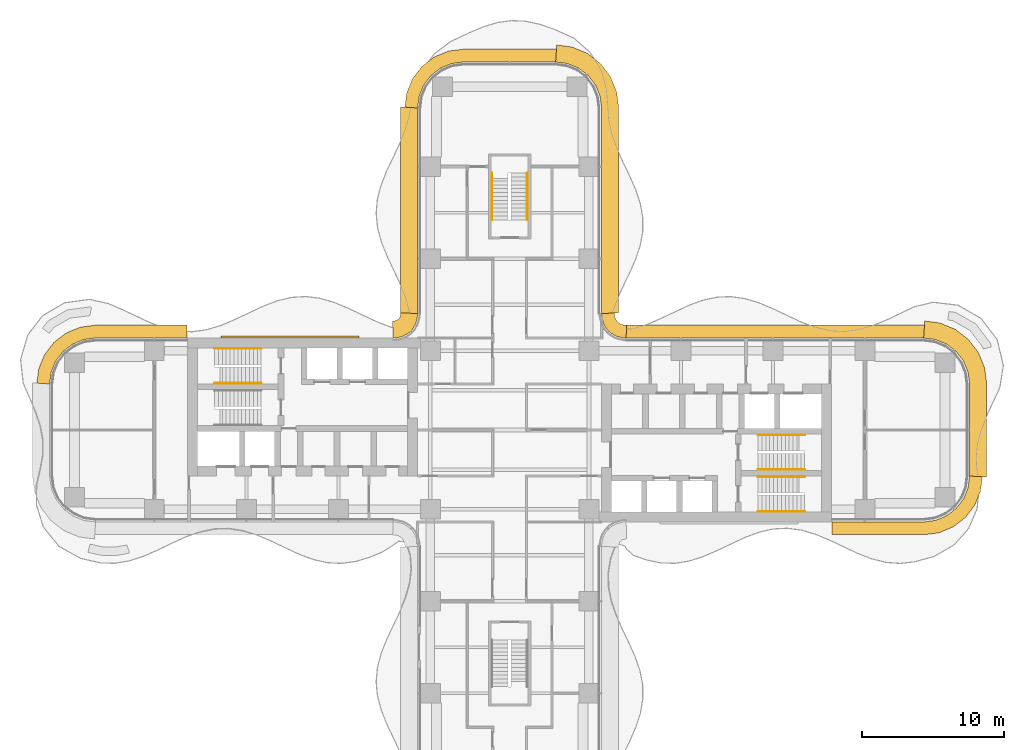
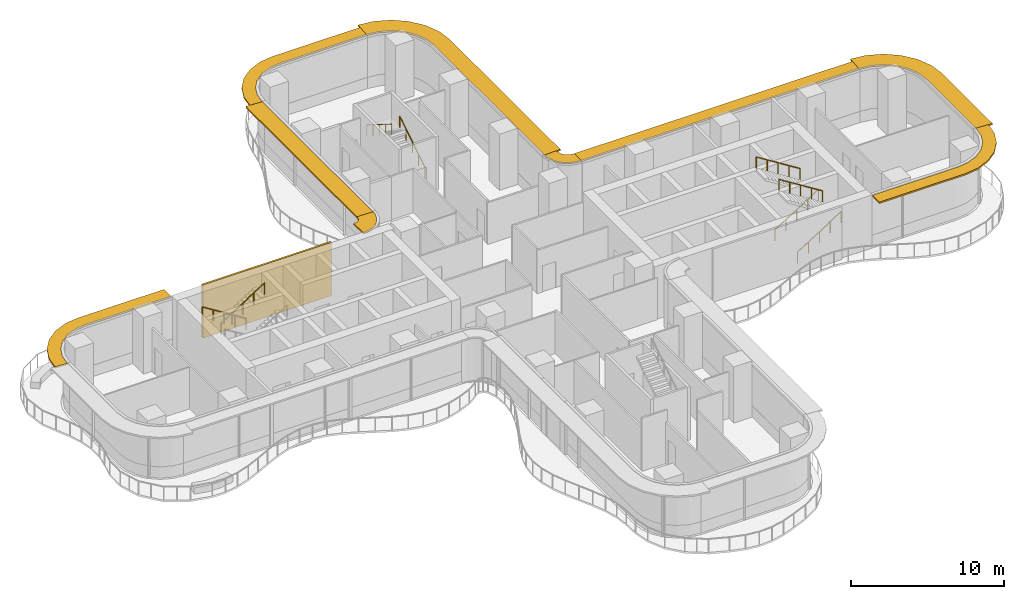
# One storey, part 22 of 22: 9 shading devices, 8 railings, 1 covering.
"""IFC4 building model written with IfcOpenShell, lengths in metres."""

from ifc_helpers import new_model, si_unit, direction, frame, origin, origin_2d, place, context, subcontext, project, spatial, polyline, circle, outline, extrude, source, transform, mapped, material, layer, layer_set, type_object, element, save


model = new_model("IFC4")

# Units and contexts
model_context = context("Model", 3, precision=1e-05, world=origin(), true_north=direction((0.0, 1.0)))
body_context = subcontext(model_context, "Body", "Model", "MODEL_VIEW")
ifc_project = project(units=[si_unit("LENGTHUNIT", "METRE"), si_unit("AREAUNIT", "SQUARE_METRE"), si_unit("VOLUMEUNIT", "CUBIC_METRE"), si_unit("PLANEANGLEUNIT", "RADIAN"), si_unit("MASSUNIT", "GRAM", prefix="KILO")], contexts=[model_context])

# Site, building, storey
site_placement = place(None, origin())
site = spatial("IfcSite", under=ifc_project, at=site_placement, CompositionType="ELEMENT")
building_placement = place(site_placement, origin())
building = spatial("IfcBuilding", under=site, at=building_placement, Name="Trellis Farm Tower", CompositionType="ELEMENT")
storey_placement = place(building_placement, frame((0.0, 0.0, 65.5)))
storey = spatial("IfcBuildingStorey", under=building, at=storey_placement, Name="L13", CompositionType="ELEMENT", Elevation=65.5)

# Railings
ifc_material_1 = material(Name="Stainless steel", Category="steel")
railing_type = type_object("IfcRailingType", Name="STAIR HANDRAIL 900", PredefinedType="HANDRAIL", material=ifc_material_1)
shared_shape_1 = source(origin(), body_context, "Body", "SweptSolid", [
    extrude(circle(Radius=0.02392578125, at=origin_2d()), frame((0.0, 0.0, 0.8759765625), z_axis=(0.0, 0.846319618018, 0.532675421018), x_axis=(-1.0, 0.0, 0.0)), (0.0, 0.0, 1.0), 3.89892578125),
    extrude(circle(Radius=0.02099609375, at=origin_2d()), origin(), (0.0, 0.0, 1.0), 0.851806640625),
    extrude(circle(Radius=0.02099609375, at=origin_2d()), frame((0.0, 0.824951171875, 0.519287109375)), (0.0, 0.0, 1.0), 0.851806640625),
    extrude(circle(Radius=0.02099609375, at=origin_2d()), frame((0.0, 1.64990234375, 1.03857421875)), (0.0, 0.0, 1.0), 0.851806640625),
    extrude(circle(Radius=0.02099609375, at=origin_2d()), frame((0.0, 2.474853515625, 1.5576171875)), (0.0, 0.0, 1.0), 0.851806640625),
    extrude(circle(Radius=0.02099609375, at=origin_2d()), frame((0.0, 3.2998046875, 2.076904296875)), (0.0, 0.0, 1.0), 0.851806640625),
])
railing_1_placement = place(storey_placement, frame((1.25, 14.85009765625, 0.173095703125)))
element("IfcRailing", 1, at=railing_1_placement, inside=storey, type_object=railing_type, Name="Stair handrail", PredefinedType="HANDRAIL", context=body_context, shape_type="MappedRepresentation", body=[
    mapped(shared_shape_1, transform((0.0, 0.0, 0.0))),
])
shared_shape_2 = source(origin(), body_context, "Body", "SweptSolid", [
    extrude(circle(Radius=0.02392578125, at=origin_2d()), frame((0.0, 0.0, 0.8759765625), z_axis=(0.0, -0.846319618018, 0.532675421018), x_axis=(1.0, 0.0, 0.0)), (0.0, 0.0, 1.0), 3.89892578125),
    extrude(circle(Radius=0.02099609375, at=origin_2d()), origin(), (0.0, 0.0, 1.0), 0.851806640625),
    extrude(circle(Radius=0.02099609375, at=origin_2d()), frame((0.0, -0.824951171875, 0.519287109375)), (0.0, 0.0, 1.0), 0.851806640625),
    extrude(circle(Radius=0.02099609375, at=origin_2d()), frame((0.0, -1.64990234375, 1.03857421875)), (0.0, 0.0, 1.0), 0.851806640625),
    extrude(circle(Radius=0.02099609375, at=origin_2d()), frame((0.0, -2.474853515625, 1.5576171875)), (0.0, 0.0, 1.0), 0.851806640625),
    extrude(circle(Radius=0.02099609375, at=origin_2d()), frame((0.0, -3.2998046875, 2.076904296875)), (0.0, 0.0, 1.0), 0.851806640625),
])
railing_2_placement = place(storey_placement, frame((-1.25, 18.14990234375, 2.423095703125)))
element("IfcRailing", 2, at=railing_2_placement, inside=storey, type_object=railing_type, Name="Stair handrail", PredefinedType="HANDRAIL", context=body_context, shape_type="MappedRepresentation", body=[
    mapped(shared_shape_2, transform((0.0, 0.0, 0.0))),
])
shared_shape_3 = source(origin(), body_context, "Body", "SweptSolid", [
    extrude(circle(Radius=0.02392578125, at=origin_2d()), frame((0.0, 0.0, 0.8759765625), z_axis=(0.846337383501, 0.0, 0.532647194011), x_axis=(0.0, 1.0, 0.0)), (0.0, 0.0, 1.0), 3.899169921875),
    extrude(circle(Radius=0.02099609375, at=origin_2d()), origin(), (0.0, 0.0, 1.0), 0.851806640625),
    extrude(circle(Radius=0.02099609375, at=origin_2d()), frame((0.824951171875, 0.0, 0.519287109375)), (0.0, 0.0, 1.0), 0.851806640625),
    extrude(circle(Radius=0.02099609375, at=origin_2d()), frame((1.64990234375, 0.0, 1.03857421875)), (0.0, 0.0, 1.0), 0.851806640625),
    extrude(circle(Radius=0.02099609375, at=origin_2d()), frame((2.47509765625, 0.0, 1.5576171875)), (0.0, 0.0, 1.0), 0.851806640625),
    extrude(circle(Radius=0.02099609375, at=origin_2d()), frame((3.300048828125, 0.0, 2.076904296875)), (0.0, 0.0, 1.0), 0.851806640625),
])
for number, where, name in (
    (3, (17.550048828125, -5.75, 0.173095703125), "Stair handrail"),
    (4, (17.550048828125, -2.800048828125, 0.173095703125), "Stair handrail"),
    (5, (-20.85009765625, 3.300048828125, 2.423095703125), "Stair handrail"),
):
    element("IfcRailing", number, at=place(storey_placement, frame(where)), inside=storey, type_object=railing_type, Name=name, PredefinedType="HANDRAIL", context=body_context, shape_type="MappedRepresentation", body=[
        mapped(shared_shape_3, transform((0.0, 0.0, 0.0))),
    ])
shared_shape_4 = source(origin(), body_context, "Body", "SweptSolid", [
    extrude(circle(Radius=0.02392578125, at=origin_2d()), frame((0.0, 0.0, 0.8759765625), z_axis=(-0.846337383501, 0.0, 0.532647194011), x_axis=(0.0, -1.0, 0.0)), (0.0, 0.0, 1.0), 3.899169921875),
    extrude(circle(Radius=0.02099609375, at=origin_2d()), origin(), (0.0, 0.0, 1.0), 0.851806640625),
    extrude(circle(Radius=0.02099609375, at=origin_2d()), frame((-0.824951171875, 0.0, 0.519287109375)), (0.0, 0.0, 1.0), 0.851806640625),
    extrude(circle(Radius=0.02099609375, at=origin_2d()), frame((-1.64990234375, 0.0, 1.03857421875)), (0.0, 0.0, 1.0), 0.851806640625),
    extrude(circle(Radius=0.02099609375, at=origin_2d()), frame((-2.47509765625, 0.0, 1.5576171875)), (0.0, 0.0, 1.0), 0.851806640625),
    extrude(circle(Radius=0.02099609375, at=origin_2d()), frame((-3.300048828125, 0.0, 2.076904296875)), (0.0, 0.0, 1.0), 0.851806640625),
])
for number, where, name in (
    (6, (20.85009765625, -3.300048828125, 2.423095703125), "Stair handrail"),
    (7, (20.85009765625, -0.35009765625, 2.423095703125), "Stair handrail"),
    (8, (-17.550048828125, 5.75, 0.173095703125), "Stair handrail"),
):
    element("IfcRailing", number, at=place(storey_placement, frame(where)), inside=storey, type_object=railing_type, Name=name, PredefinedType="HANDRAIL", context=body_context, shape_type="MappedRepresentation", body=[
        mapped(shared_shape_4, transform((0.0, 0.0, 0.0))),
    ])

# Shading devices
ifc_material_2 = material(Name="Aluminium extrusion 6063-T6", Category="aluminium")
ifc_layer_1 = layer(ifc_material_2, 0.1201171875)
ifc_layer_set_1 = layer_set([ifc_layer_1], Name="SUNSHADE BLADE 900")
shading_device_type_1 = type_object("IfcShadingDeviceType", Name="SUNSHADE BLADE 900", PredefinedType="USERDEFINED", material=ifc_layer_set_1)
shared_shape_5 = source(origin(), body_context, "Body", "SweptSolid", [
    extrude(outline(polyline([(22.780029296875, -7.39990234375), (29.30908203125, -7.39990234375), (30.326171875, -7.26611328125), (31.328857421875, -6.850830078125), (32.18994140625, -6.18994140625), (32.850830078125, -5.328857421875), (33.26611328125, -4.326171875), (33.39990234375, -3.30908203125), (32.5, -3.25), (32.38916015625, -4.091064453125), (32.064697265625, -4.875), (31.548095703125, -5.548095703125), (30.875, -6.064697265625), (30.091064453125, -6.38916015625), (29.25, -6.5), (22.780029296875, -6.5), (22.780029296875, -7.39990234375)])), origin(), (0.0, 0.0, 1.0), 0.119873046875),
])
placement = place(storey_placement, frame((0.0, 0.0, 4.090087890625)))
element("IfcShadingDevice", 9, at=placement, inside=storey, type_object=shading_device_type_1, Name="SD1 007", ObjectType="SUNSHADE", PredefinedType="USERDEFINED", context=body_context, shape_type="MappedRepresentation", body=[
    mapped(shared_shape_5, transform((0.0, 0.0, 0.0))),
])
ifc_layer_2 = layer(ifc_material_2, 0.1201171875)
ifc_layer_set_2 = layer_set([ifc_layer_2], Name="SUNSHADE BLADE 1200")
shading_device_type_2 = type_object("IfcShadingDeviceType", Name="SUNSHADE BLADE 1200", PredefinedType="USERDEFINED", material=ifc_layer_set_2)
shared_shape_6 = source(origin(), body_context, "Body", "SweptSolid", [
    extrude(outline(polyline([(33.699951171875, -3.32861328125), (33.699951171875, 3.32861328125), (33.558349609375, 4.404541015625), (33.11279296875, 5.480224609375), (32.404052734375, 6.404052734375), (31.480224609375, 7.11279296875), (30.404541015625, 7.558349609375), (29.32861328125, 7.699951171875), (29.25, 6.5), (30.091064453125, 6.38916015625), (30.875, 6.064697265625), (31.548095703125, 5.548095703125), (32.064697265625, 4.875), (32.38916015625, 4.091064453125), (32.5, 3.25), (32.5, -3.25), (33.699951171875, -3.32861328125)])), origin(), (0.0, 0.0, 1.0), 0.119873046875),
])
element("IfcShadingDevice", 10, at=placement, inside=storey, type_object=shading_device_type_2, Name="SD2 008", ObjectType="SUNSHADE", PredefinedType="USERDEFINED", context=body_context, shape_type="MappedRepresentation", body=[
    mapped(shared_shape_6, transform((0.0, 0.0, 0.0))),
])
shared_shape_7 = source(origin(), body_context, "Body", "SweptSolid", [
    extrude(outline(polyline([(29.30908203125, 7.39990234375), (8.2607421875, 7.39990234375), (8.2314453125, 6.5), (29.25, 6.5), (29.30908203125, 7.39990234375)])), origin(), (0.0, 0.0, 1.0), 0.119873046875),
])
element("IfcShadingDevice", 11, at=placement, inside=storey, type_object=shading_device_type_1, Name="SD1 009", ObjectType="SUNSHADE", PredefinedType="USERDEFINED", context=body_context, shape_type="MappedRepresentation", body=[
    mapped(shared_shape_7, transform((0.0, 0.0, 0.0))),
])
shared_shape_8 = source(origin(), body_context, "Body", "SweptSolid", [
    extrude(outline(polyline([(8.2607421875, 7.39990234375), (8.107666015625, 7.409912109375), (8.091552734375, 7.412109375), (7.85595703125, 7.475341796875), (7.697021484375, 7.567138671875), (7.567138671875, 7.697021484375), (7.475341796875, 7.85595703125), (7.412109375, 8.091552734375), (7.409912109375, 8.107666015625), (7.39990234375, 8.2607421875), (6.5, 8.2314453125), (6.513916015625, 8.01953125), (6.527587890625, 7.91552734375), (6.63671875, 7.508544921875), (6.846923828125, 7.144287109375), (7.144287109375, 6.846923828125), (7.508544921875, 6.63671875), (7.91552734375, 6.527587890625), (8.01953125, 6.513916015625), (8.2314453125, 6.5), (8.2607421875, 7.39990234375)])), origin(), (0.0, 0.0, 1.0), 0.119873046875),
])
element("IfcShadingDevice", 12, at=placement, inside=storey, type_object=shading_device_type_1, Name="SD1 010", ObjectType="SUNSHADE", PredefinedType="USERDEFINED", context=body_context, shape_type="MappedRepresentation", body=[
    mapped(shared_shape_8, transform((0.0, 0.0, 0.0))),
])
shared_shape_9 = source(origin(), body_context, "Body", "SweptSolid", [
    extrude(outline(polyline([(-7.699951171875, 8.270751953125), (-7.708740234375, 8.13720703125), (-7.70703125, 8.150146484375), (-7.7548828125, 7.9716796875), (-7.80712890625, 7.881103515625), (-7.881103515625, 7.80712890625), (-7.9716796875, 7.7548828125), (-8.150146484375, 7.70703125), (-8.13720703125, 7.708740234375), (-8.270751953125, 7.699951171875), (-8.2314453125, 6.5), (-8.01953125, 6.513916015625), (-7.91552734375, 6.527587890625), (-7.508544921875, 6.63671875), (-7.144287109375, 6.846923828125), (-6.846923828125, 7.144287109375), (-6.63671875, 7.508544921875), (-6.527587890625, 7.91552734375), (-6.513916015625, 8.01953125), (-6.5, 8.2314453125), (-7.699951171875, 8.270751953125)])), origin(), (0.0, 0.0, 1.0), 0.119873046875),
])
element("IfcShadingDevice", 13, at=placement, inside=storey, type_object=shading_device_type_2, Name="SD2 014", ObjectType="SUNSHADE", PredefinedType="USERDEFINED", context=body_context, shape_type="MappedRepresentation", body=[
    mapped(shared_shape_9, transform((0.0, 0.0, 0.0))),
])
shared_shape_10 = source(origin(), body_context, "Body", "SweptSolid", [
    extrude(outline(polyline([(-22.780029296875, 7.39990234375), (-29.30908203125, 7.39990234375), (-30.326171875, 7.26611328125), (-31.328857421875, 6.850830078125), (-32.18994140625, 6.18994140625), (-32.850830078125, 5.328857421875), (-33.26611328125, 4.326171875), (-33.39990234375, 3.30908203125), (-32.5, 3.25), (-32.38916015625, 4.091064453125), (-32.064697265625, 4.875), (-31.548095703125, 5.548095703125), (-30.875, 6.064697265625), (-30.091064453125, 6.38916015625), (-29.25, 6.5), (-22.780029296875, 6.5), (-22.780029296875, 7.39990234375)])), origin(), (0.0, 0.0, 1.0), 0.119873046875),
])
element("IfcShadingDevice", 14, at=placement, inside=storey, type_object=shading_device_type_1, Name="SD1 015", ObjectType="SUNSHADE", PredefinedType="USERDEFINED", context=body_context, shape_type="MappedRepresentation", body=[
    mapped(shared_shape_10, transform((0.0, 0.0, 0.0))),
])

# Covering
ifc_material_3 = material(Name="Perforated precast screen (cobogo)", Category="concrete")
ifc_layer_3 = layer(ifc_material_3, 0.14990234375)
ifc_layer_set_3 = layer_set([ifc_layer_3], Name="COBOGO SCREEN PANEL")
covering_type = type_object("IfcCoveringType", Name="COBOGO SCREEN PANEL", PredefinedType="USERDEFINED", material=ifc_layer_set_3)
shared_shape_11 = source(origin(), body_context, "Body", "SweptSolid", [
    extrude(outline(polyline([(-10.630615234375, 6.64990234375), (-20.380615234375, 6.64990234375), (-20.380615234375, 6.5), (-10.630615234375, 6.5), (-10.630615234375, 6.64990234375)])), origin(), (0.0, 0.0, 1.0), 4.25),
])
covering_placement = place(storey_placement, origin())
element("IfcCovering", 15, at=covering_placement, inside=storey, type_object=covering_type, Name="SC1 02", ObjectType="SCREEN", PredefinedType="USERDEFINED", context=body_context, shape_type="MappedRepresentation", body=[
    mapped(shared_shape_11, transform((0.0, 0.0, 0.0))),
])

# Shading devices
shared_shape_12 = source(origin(), body_context, "Body", "SweptSolid", [
    extrude(outline(polyline([(7.699951171875, 8.270751953125), (7.699951171875, 22.82861328125), (7.558349609375, 23.904541015625), (7.11279296875, 24.980224609375), (6.404052734375, 25.904052734375), (5.480224609375, 26.61279296875), (4.404541015625, 27.058349609375), (3.32861328125, 27.199951171875), (3.25, 26.0), (4.091064453125, 25.88916015625), (4.875, 25.564697265625), (5.548095703125, 25.048095703125), (6.064697265625, 24.375), (6.38916015625, 23.591064453125), (6.5, 22.75), (6.5, 8.2314453125), (7.699951171875, 8.270751953125)])), origin(), (0.0, 0.0, 1.0), 0.119873046875),
])
element("IfcShadingDevice", 16, at=placement, inside=storey, type_object=shading_device_type_2, Name="SD2 011", ObjectType="SUNSHADE", PredefinedType="USERDEFINED", context=body_context, shape_type="MappedRepresentation", body=[
    mapped(shared_shape_12, transform((0.0, 0.0, 0.0))),
])
shared_shape_13 = source(origin(), body_context, "Body", "SweptSolid", [
    extrude(outline(polyline([(3.30908203125, 26.89990234375), (-3.30908203125, 26.89990234375), (-4.326171875, 26.76611328125), (-5.328857421875, 26.350830078125), (-6.18994140625, 25.68994140625), (-6.850830078125, 24.828857421875), (-7.26611328125, 23.826171875), (-7.39990234375, 22.80908203125), (-6.5, 22.75), (-6.38916015625, 23.591064453125), (-6.064697265625, 24.375), (-5.548095703125, 25.048095703125), (-4.875, 25.564697265625), (-4.091064453125, 25.88916015625), (-3.25, 26.0), (3.25, 26.0), (3.30908203125, 26.89990234375)])), origin(), (0.0, 0.0, 1.0), 0.119873046875),
])
element("IfcShadingDevice", 17, at=placement, inside=storey, type_object=shading_device_type_1, Name="SD1 012", ObjectType="SUNSHADE", PredefinedType="USERDEFINED", context=body_context, shape_type="MappedRepresentation", body=[
    mapped(shared_shape_13, transform((0.0, 0.0, 0.0))),
])
shared_shape_14 = source(origin(), body_context, "Body", "SweptSolid", [
    extrude(outline(polyline([(-7.699951171875, 22.82861328125), (-7.699951171875, 8.270751953125), (-6.5, 8.2314453125), (-6.5, 22.75), (-7.699951171875, 22.82861328125)])), origin(), (0.0, 0.0, 1.0), 0.119873046875),
])
element("IfcShadingDevice", 18, at=placement, inside=storey, type_object=shading_device_type_2, Name="SD2 013", ObjectType="SUNSHADE", PredefinedType="USERDEFINED", context=body_context, shape_type="MappedRepresentation", body=[
    mapped(shared_shape_14, transform((0.0, 0.0, 0.0))),
])

save(model, "model.ifc")
